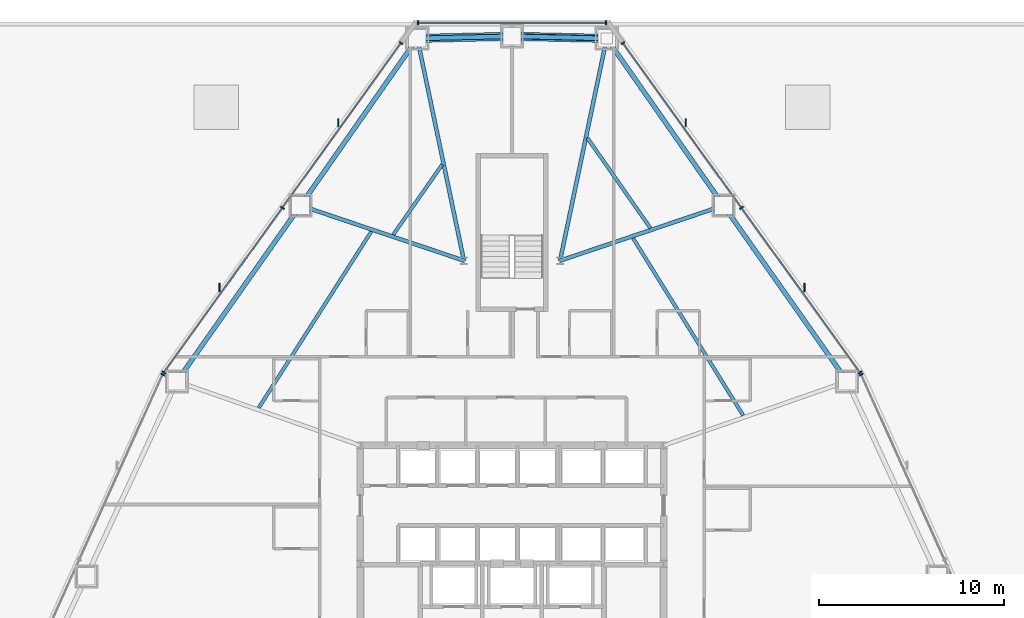
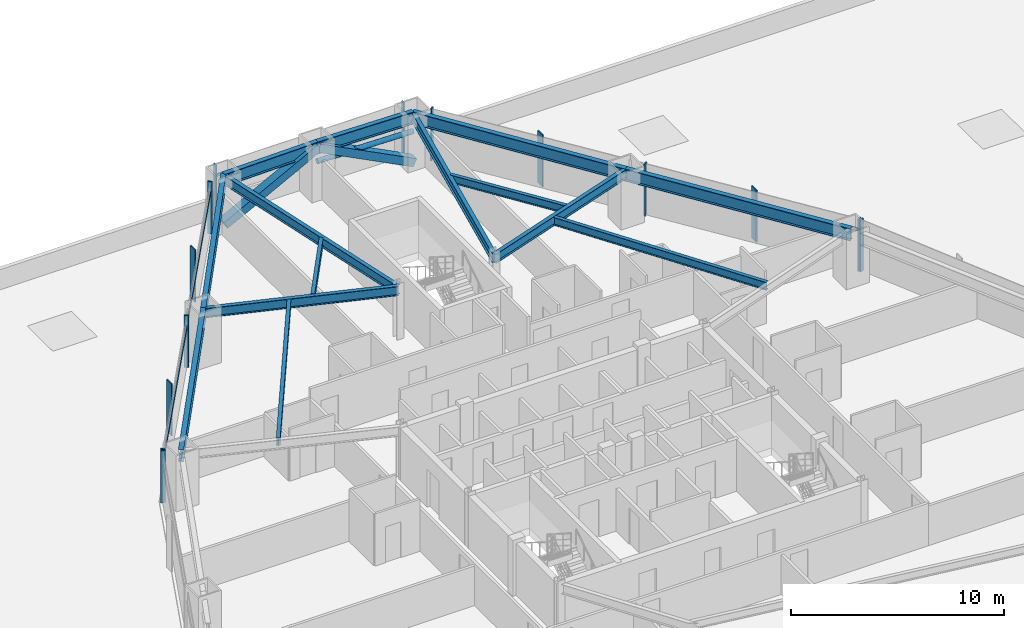
# One storey, part 8 of 17: 20 members, 14 beams, 5 elements without a shape of their own.
"""IFC4 building model written with IfcOpenShell, lengths in metres."""

from ifc_helpers import new_model, si_unit, direction, frame, origin, origin_2d, place, context, subcontext, project, spatial, rectangle, hollow_rectangle, hollow_circle, i_section, extrude, source, transform, mapped, material, layer, layer_set, material_profile, profile_set, type_object, type_shapes, element, aggregate, save


model = new_model("IFC4")

# Units and contexts
model_context = context("Model", 3, precision=1e-05, world=origin(), true_north=direction((0.0, 1.0)))
body_context = subcontext(model_context, "Body", "Model", "MODEL_VIEW")
ifc_project = project(units=[si_unit("LENGTHUNIT", "METRE"), si_unit("AREAUNIT", "SQUARE_METRE"), si_unit("VOLUMEUNIT", "CUBIC_METRE"), si_unit("PLANEANGLEUNIT", "RADIAN"), si_unit("MASSUNIT", "GRAM", prefix="KILO")], contexts=[model_context])

# Site, building, storey
site_placement = place(None, origin())
site = spatial("IfcSite", under=ifc_project, at=site_placement, CompositionType="ELEMENT")
building_placement = place(site_placement, origin())
building = spatial("IfcBuilding", under=site, at=building_placement, Name="Varakhsha Concourse Tower", CompositionType="ELEMENT")
storey_placement = place(building_placement, frame((0.0, 0.0, 27.199951171875)))
storey = spatial("IfcBuildingStorey", under=building, at=storey_placement, Name="L06", CompositionType="ELEMENT", Elevation=27.199951171875)

# Beams
ifc_material_1 = material(Name="Structural Steel ASTM A992 Grade 50", Category="steel")
ifc_material_profile_1 = material_profile(ifc_material_1, i_section(OverallWidth=0.19091796875, OverallDepth=0.45703125, WebThickness=0.009033203125, FlangeThickness=0.013916015625, at=origin_2d()), Name="W18X50")
ifc_profile_set_1 = profile_set([ifc_material_profile_1], Name="Structural Steel ASTM A992 Grade 50")
beam_type_1 = type_object("IfcBeamType", Name="BM-JST-W18X50", PredefinedType="JOIST", material=ifc_profile_set_1)
beam_1_placement = place(storey_placement, frame((36.226318359375, 46.400146484375, 2.75146484375), z_axis=(-0.572821959369, -0.819679817285, 0.0), x_axis=(0.819679817285, -0.572821959369, 0.0)))
element("IfcBeam", 1, at=beam_1_placement, inside=storey, type_object=beam_type_1, Name="BM-TJST-L06-03", PredefinedType="JOIST", context=body_context, shape_type="SweptSolid", body=[
    extrude(i_section(OverallWidth=0.19091796875, OverallDepth=0.45703125, WebThickness=0.009033203125, FlangeThickness=0.013916015625, at=origin_2d()), origin(), (0.0, 0.0, 1.0), 4.63232421875),
])
beam_2_placement = place(storey_placement, frame((32.3896484375, 42.7783203125, 2.75146484375), z_axis=(-0.53821146818, -0.842809833545, 0.0), x_axis=(0.842809833545, -0.53821146818, 0.0)))
element("IfcBeam", 2, at=beam_2_placement, inside=storey, type_object=beam_type_1, Name="BM-TJST-L06-04", PredefinedType="JOIST", context=body_context, shape_type="SweptSolid", body=[
    extrude(i_section(OverallWidth=0.19091796875, OverallDepth=0.45703125, WebThickness=0.009033203125, FlangeThickness=0.013916015625, at=origin_2d()), origin(), (0.0, 0.0, 1.0), 11.322265625),
])
beam_3_placement = place(storey_placement, frame((52.51318359375, 32.8203125, 2.75146484375), z_axis=(-0.527810727091, 0.849362017262, 0.0), x_axis=(-0.849362017262, -0.527810727091, 0.0)))
element("IfcBeam", 3, at=beam_3_placement, inside=storey, type_object=beam_type_1, Name="BM-TJST-L06-17", PredefinedType="JOIST", context=body_context, shape_type="SweptSolid", body=[
    extrude(i_section(OverallWidth=0.19091796875, OverallDepth=0.45703125, WebThickness=0.009033203125, FlangeThickness=0.013916015625, at=origin_2d()), origin(), (0.0, 0.0, 1.0), 11.301513671875),
])
beam_4_placement = place(storey_placement, frame((47.488037109375, 42.961181640625, 2.75146484375), z_axis=(-0.572823903729, 0.819678458492, 0.0), x_axis=(-0.819678458492, -0.572823903729, 0.0)))
element("IfcBeam", 4, at=beam_4_placement, inside=storey, type_object=beam_type_1, Name="BM-TJST-L06-18", PredefinedType="JOIST", context=body_context, shape_type="SweptSolid", body=[
    extrude(i_section(OverallWidth=0.19091796875, OverallDepth=0.45703125, WebThickness=0.009033203125, FlangeThickness=0.013916015625, at=origin_2d()), origin(), (0.0, 0.0, 1.0), 5.955810546875),
])
ifc_material_profile_2 = material_profile(ifc_material_1, i_section(OverallWidth=0.2109375, OverallDepth=0.5390625, WebThickness=0.011962890625, FlangeThickness=0.01904296875, at=origin_2d()), Name="W21X73")
ifc_profile_set_2 = profile_set([ifc_material_profile_2], Name="Structural Steel ASTM A992 Grade 50")
beam_type_2 = type_object("IfcBeamType", Name="BM-RAD-W21X73", PredefinedType="BEAM", material=ifc_profile_set_2)
for number, where, z_axis, x_axis, name in (
    (5, (42.60009765625, 41.199951171875, 2.71044921875), (0.205439579313, 0.97866980093, 0.0), (-0.97866980093, 0.205439579313, 0.0), "L06 Radial Floor Girder 01"),
    (6, (37.39990234375, 41.199951171875, 2.71044921875), (-0.205439579313, 0.97866980093, 0.0), (-0.97866980093, -0.205439579313, 0.0), "L06 Radial Floor Girder 03"),
):
    element("IfcBeam", number, at=place(storey_placement, frame(where, z_axis=z_axis, x_axis=x_axis)), inside=storey, type_object=beam_type_2, Name=name, PredefinedType="BEAM", context=body_context, shape_type="SweptSolid", body=[
        extrude(i_section(OverallWidth=0.2109375, OverallDepth=0.5390625, WebThickness=0.011962890625, FlangeThickness=0.01904296875, at=origin_2d()), origin(), (0.0, 0.0, 1.0), 12.285400390625),
    ])
for number, where, z_axis, x_axis, name in (
    (7, (37.39990234375, 41.199951171875, 2.71044921875), (-0.947494062614, 0.319773359288, 0.0), (-0.319773359288, -0.947494062614, 0.0), "L06 Radial Floor Girder 04"),
    (8, (42.60009765625, 41.199951171875, 2.71044921875), (0.947494062614, 0.319773359288, 0.0), (-0.319773359288, 0.947494062614, 0.0), "L06 Radial Floor Girder 18"),
):
    element("IfcBeam", number, at=place(storey_placement, frame(where, z_axis=z_axis, x_axis=x_axis)), inside=storey, type_object=beam_type_2, Name=name, PredefinedType="BEAM", context=body_context, shape_type="SweptSolid", body=[
        extrude(i_section(OverallWidth=0.2109375, OverallDepth=0.5390625, WebThickness=0.011962890625, FlangeThickness=0.01904296875, at=origin_2d()), origin(), (0.0, 0.0, 1.0), 9.331298828125),
    ])
ifc_material_profile_3 = material_profile(ifc_material_1, i_section(OverallWidth=0.25390625, OverallDepth=0.701904296875, WebThickness=0.014892578125, FlangeThickness=0.028076171875, at=origin_2d()), Name="W27X129")
ifc_profile_set_3 = profile_set([ifc_material_profile_3], Name="Structural Steel ASTM A992 Grade 50")
beam_type_3 = type_object("IfcBeamType", Name="BM-SPAN-W27X129", PredefinedType="SPANDREL", material=ifc_profile_set_3)
for number, where, z_axis, x_axis, name in (
    (9, (45.1240234375, 53.223388671875, 2.629150390625), (-0.999740752381, 0.022769014658, 0.0), (-0.022769014658, -0.999740752381, 0.0), "BM-SPAN-L06-01"),
    (10, (40.0, 53.340087890625, 2.629150390625), (-0.999740752381, -0.022769014658, 0.0), (0.022769014658, -0.999740752381, 0.0), "BM-SPAN-L06-02"),
):
    element("IfcBeam", number, at=place(storey_placement, frame(where, z_axis=z_axis, x_axis=x_axis)), inside=storey, type_object=beam_type_3, Name=name, PredefinedType="SPANDREL", context=body_context, shape_type="SweptSolid", body=[
        extrude(i_section(OverallWidth=0.25390625, OverallDepth=0.701904296875, WebThickness=0.014892578125, FlangeThickness=0.028076171875, at=origin_2d()), origin(), (0.0, 0.0, 1.0), 5.125244140625),
    ])
beam_5_placement = place(storey_placement, frame((34.8759765625, 53.223388671875, 2.629150390625), z_axis=(-0.572835189136, -0.819670571686, 0.0), x_axis=(0.819670571686, -0.572835189136, 0.0)))
element("IfcBeam", 11, at=beam_5_placement, inside=storey, type_object=beam_type_3, Name="BM-SPAN-L06-03", PredefinedType="SPANDREL", context=body_context, shape_type="SweptSolid", body=[
    extrude(i_section(OverallWidth=0.25390625, OverallDepth=0.701904296875, WebThickness=0.014892578125, FlangeThickness=0.028076171875, at=origin_2d()), origin(), (0.0, 0.0, 1.0), 11.0283203125),
])
for number, where, z_axis, x_axis, name in (
    (12, (28.55859375, 44.183837890625, 2.629150390625), (-0.575386304622, -0.817881776575, 0.0), (0.817881776575, -0.575386304622, 0.0), "BM-SPAN-L06-04"),
    (13, (58.134521484375, 34.669921875, 2.629150390625), (-0.575386304622, 0.817881776575, 0.0), (-0.817881776575, -0.575386304622, 0.0), "BM-SPAN-L06-17"),
):
    element("IfcBeam", number, at=place(storey_placement, frame(where, z_axis=z_axis, x_axis=x_axis)), inside=storey, type_object=beam_type_3, Name=name, PredefinedType="SPANDREL", context=body_context, shape_type="SweptSolid", body=[
        extrude(i_section(OverallWidth=0.25390625, OverallDepth=0.701904296875, WebThickness=0.014892578125, FlangeThickness=0.028076171875, at=origin_2d()), origin(), (0.0, 0.0, 1.0), 11.63232421875),
    ])
beam_6_placement = place(storey_placement, frame((51.44140625, 44.183837890625, 2.629150390625), z_axis=(-0.572835189136, 0.819670571686, 0.0), x_axis=(-0.819670571686, -0.572835189136, 0.0)))
element("IfcBeam", 14, at=beam_6_placement, inside=storey, type_object=beam_type_3, Name="BM-SPAN-L06-18", PredefinedType="SPANDREL", context=body_context, shape_type="SweptSolid", body=[
    extrude(i_section(OverallWidth=0.25390625, OverallDepth=0.701904296875, WebThickness=0.014892578125, FlangeThickness=0.028076171875, at=origin_2d()), origin(), (0.0, 0.0, 1.0), 11.0283203125),
])

# Members
ifc_material_2 = material(Name="Structural Steel ASTM A500 Grade C", Category="steel")
ifc_material_profile_4 = material_profile(ifc_material_2, hollow_rectangle(XDim=0.449951171875, YDim=0.449951171875, WallThickness=0.01904296875, at=origin_2d()), Name="HSS 450x450x19")
ifc_profile_set_4 = profile_set([ifc_material_profile_4], Name="Structural Steel ASTM A500 Grade C")
member_type_1 = type_object("IfcMemberType", Name="MB-TUBE-HSS450", PredefinedType="BRACE", material=ifc_profile_set_4)
shared_shape_1 = source(origin(), body_context, "Body", "SweptSolid", [
    extrude(hollow_rectangle(XDim=0.449951171875, YDim=0.449951171875, WallThickness=0.01904296875, at=origin_2d()), origin(), (0.0, 0.0, 1.0), 5.72900390625),
])
type_shapes(member_type_1, [shared_shape_1])
for number, where, z_axis, x_axis, name in (
    (15, (45.1240234375, 53.223388671875, 0.1201171875), (-0.894394970339, 0.020369773005, 0.446813953878), (-0.022769014658, -0.999740752381, 0.0), "L06 Wind-Corner Tube Brace B01"),
    (16, (34.8759765625, 53.223388671875, 0.1201171875), (0.894394970339, 0.020369773005, 0.446813953878), (-0.022769014658, 0.999740752381, 0.0), "L06 Wind-Corner Tube Brace B02"),
):
    element("IfcMember", number, at=place(storey_placement, frame(where, z_axis=z_axis, x_axis=x_axis)), inside=storey, type_object=member_type_1, Name=name, PredefinedType="BRACE", context=body_context, shape_type="MappedRepresentation", body=[
        mapped(shared_shape_1, transform((0.0, 0.0, 0.0), scale=1.0)),
    ])
ifc_material_profile_5 = material_profile(ifc_material_2, hollow_circle(Radius=0.136474609375, WallThickness=0.011962890625, at=origin_2d()), Name="CHS 273x12")
ifc_profile_set_5 = profile_set([ifc_material_profile_5], Name="Structural Steel ASTM A500 Grade C")
member_type_2 = type_object("IfcMemberType", Name="MB-WIND-CHS273", PredefinedType="COLLAR", material=ifc_profile_set_5)
shared_shape_2 = source(origin(), body_context, "Body", "SweptSolid", [
    extrude(hollow_circle(Radius=0.136474609375, WallThickness=0.011962890625, at=origin_2d()), origin(), (0.0, 0.0, 1.0), 5.125244140625),
])
type_shapes(member_type_2, [shared_shape_2])
member_1_placement = place(storey_placement, frame((45.1240234375, 53.223388671875, 1.800048828125), z_axis=(-0.999740752381, 0.022769014658, 0.0), x_axis=(-0.022769014658, -0.999740752381, 0.0)))
element("IfcMember", 17, at=member_1_placement, inside=storey, type_object=member_type_2, Name="L06 Wind-Corner Collar Tie 1", PredefinedType="COLLAR", context=body_context, shape_type="MappedRepresentation", body=[
    mapped(shared_shape_2, transform((0.0, 0.0, 0.0), scale=1.0)),
])

# Curtain wall, members
ifc_material_3 = material(Name="Anodised Bronze Architectural Aluminium AA 6063-T6", Category="aluminium")
ifc_layer = layer(ifc_material_3, 0.219970703125, Name="CW-SYS-02")
ifc_layer_set = layer_set([ifc_layer], Name="Anodised Bronze Architectural Aluminium AA 6063-T6")
curtain_wall_type = type_object("IfcCurtainWallType", Name="CW-SYS-02", PredefinedType="NOTDEFINED", material=ifc_layer_set)
curtain_wall_1_placement = place(storey_placement, origin())
curtain_wall_1 = element("IfcCurtainWall", 18, at=curtain_wall_1_placement, inside=storey, type_object=curtain_wall_type, Name="L06 Chamfer Curtain Wall F1", PredefinedType="NOTDEFINED")
ifc_material_profile_6 = material_profile(ifc_material_3, rectangle(XDim=0.074951171875, YDim=0.219970703125, at=origin_2d()), Name="CWM-220X75")
ifc_profile_set_6 = profile_set([ifc_material_profile_6], Name="Anodised Bronze Architectural Aluminium AA 6063-T6")
member_type_3 = type_object("IfcMemberType", Name="CWM-220X75", PredefinedType="MULLION", material=ifc_profile_set_6)
shared_shape_3 = source(origin(), body_context, "Body", "SweptSolid", [
    extrude(rectangle(XDim=0.074951171875, YDim=0.219970703125, at=origin_2d()), origin(), (0.0, 0.0, 1.0), 2.97998046875),
])
type_shapes(member_type_3, [shared_shape_3])
member_2_placement = place(storey_placement, frame((34.919921875, 54.06005859375, 0.0), z_axis=(0.0, 0.0, 1.0), x_axis=(1.0, 0.0, 0.0)))
member_2 = element("IfcMember", 19, at=member_2_placement, type_object=member_type_3, Name="CW-L06-F1 Mullion 00", PredefinedType="MULLION", context=body_context, shape_type="MappedRepresentation", body=[
    mapped(shared_shape_3, transform((0.0, 0.0, 0.0), scale=1.0)),
])
member_3_placement = place(storey_placement, frame((45.080078125, 54.06005859375, 0.0), z_axis=(0.0, 0.0, 1.0), x_axis=(1.0, 0.0, 0.0)))
member_3 = element("IfcMember", 20, at=member_3_placement, type_object=member_type_3, Name="CW-L06-F1 Mullion 01", PredefinedType="MULLION", context=body_context, shape_type="MappedRepresentation", body=[
    mapped(shared_shape_3, transform((0.0, 0.0, 0.0), scale=1.0)),
])

curtain_wall_2_placement = place(storey_placement, origin())
curtain_wall_2 = element("IfcCurtainWall", 21, at=curtain_wall_2_placement, inside=storey, type_object=curtain_wall_type, Name="L06 Crystal Curtain Wall F2", PredefinedType="NOTDEFINED")
member_4_placement = place(storey_placement, frame((21.16552734375, 35.1474609375, 0.0), z_axis=(0.0, 0.0, 1.0), x_axis=(0.584283660256, 0.81154950826, 0.0)))
member_4 = element("IfcMember", 22, at=member_4_placement, type_object=member_type_3, Name="CW-L06-F2 Mullion 00", PredefinedType="MULLION", context=body_context, shape_type="MappedRepresentation", body=[
    mapped(shared_shape_3, transform((0.0, 0.0, 0.0), scale=1.0)),
])
member_5_placement = place(storey_placement, frame((27.5830078125, 44.060791015625, 0.0), z_axis=(0.0, 0.0, 1.0), x_axis=(0.584283660256, 0.81154950826, 0.0)))
member_5 = element("IfcMember", 23, at=member_5_placement, type_object=member_type_3, Name="CW-L06-F2 Mullion 01", PredefinedType="MULLION", context=body_context, shape_type="MappedRepresentation", body=[
    mapped(shared_shape_3, transform((0.0, 0.0, 0.0), scale=1.0)),
])
member_6_placement = place(storey_placement, frame((34.000244140625, 52.97412109375, 0.0), z_axis=(0.0, 0.0, 1.0), x_axis=(0.584283660256, 0.81154950826, 0.0)))
member_6 = element("IfcMember", 24, at=member_6_placement, type_object=member_type_3, Name="CW-L06-F2 Mullion 02", PredefinedType="MULLION", context=body_context, shape_type="MappedRepresentation", body=[
    mapped(shared_shape_3, transform((0.0, 0.0, 0.0), scale=1.0)),
])

# Curtain wall, member
curtain_wall_3_placement = place(storey_placement, origin())
curtain_wall_3 = element("IfcCurtainWall", 25, at=curtain_wall_3_placement, inside=storey, type_object=curtain_wall_type, Name="L06 Crystal Curtain Wall F3", PredefinedType="NOTDEFINED")
member_7_placement = place(storey_placement, frame((21.10205078125, 35.037353515625, 0.0), z_axis=(0.0, 0.0, 1.0), x_axis=(0.410683843161, 0.911777813377, 0.0)))
member_7 = element("IfcMember", 26, at=member_7_placement, type_object=member_type_3, Name="CW-L06-F3 Mullion 02", PredefinedType="MULLION", context=body_context, shape_type="MappedRepresentation", body=[
    mapped(shared_shape_3, transform((0.0, 0.0, 0.0), scale=1.0)),
])
aggregate(curtain_wall_3, [member_7])

curtain_wall_4_placement = place(storey_placement, origin())
curtain_wall_4 = element("IfcCurtainWall", 27, at=curtain_wall_4_placement, inside=storey, type_object=curtain_wall_type, Name="L06 Crystal Curtain Wall F8", PredefinedType="NOTDEFINED")
member_8_placement = place(storey_placement, frame((58.89794921875, 35.037353515625, 0.0), z_axis=(0.0, 0.0, 1.0), x_axis=(0.410683843161, -0.911777813377, 0.0)))
member_8 = element("IfcMember", 28, at=member_8_placement, type_object=member_type_3, Name="CW-L06-F8 Mullion 00", PredefinedType="MULLION", context=body_context, shape_type="MappedRepresentation", body=[
    mapped(shared_shape_3, transform((0.0, 0.0, 0.0), scale=1.0)),
])
aggregate(curtain_wall_4, [member_8])

# Curtain wall, members
curtain_wall_5_placement = place(storey_placement, origin())
curtain_wall_5 = element("IfcCurtainWall", 29, at=curtain_wall_5_placement, inside=storey, type_object=curtain_wall_type, Name="L06 Crystal Curtain Wall F9", PredefinedType="NOTDEFINED")
member_9_placement = place(storey_placement, frame((45.999755859375, 52.97412109375, 0.0), z_axis=(0.0, 0.0, 1.0), x_axis=(0.584283660256, -0.81154950826, 0.0)))
member_9 = element("IfcMember", 30, at=member_9_placement, type_object=member_type_3, Name="CW-L06-F9 Mullion 00", PredefinedType="MULLION", context=body_context, shape_type="MappedRepresentation", body=[
    mapped(shared_shape_3, transform((0.0, 0.0, 0.0), scale=1.0)),
])
member_10_placement = place(storey_placement, frame((52.4169921875, 44.060791015625, 0.0), z_axis=(0.0, 0.0, 1.0), x_axis=(0.584283660256, -0.81154950826, 0.0)))
member_10 = element("IfcMember", 31, at=member_10_placement, type_object=member_type_3, Name="CW-L06-F9 Mullion 01", PredefinedType="MULLION", context=body_context, shape_type="MappedRepresentation", body=[
    mapped(shared_shape_3, transform((0.0, 0.0, 0.0), scale=1.0)),
])
member_11_placement = place(storey_placement, frame((58.83447265625, 35.1474609375, 0.0), z_axis=(0.0, 0.0, 1.0), x_axis=(0.584283660256, -0.81154950826, 0.0)))
member_11 = element("IfcMember", 32, at=member_11_placement, type_object=member_type_3, Name="CW-L06-F9 Mullion 02", PredefinedType="MULLION", context=body_context, shape_type="MappedRepresentation", body=[
    mapped(shared_shape_3, transform((0.0, 0.0, 0.0), scale=1.0)),
])

# Member
ifc_material_profile_7 = material_profile(ifc_material_3, rectangle(XDim=0.06494140625, YDim=0.159912109375, at=origin_2d()), Name="CWT-160X65")
ifc_profile_set_7 = profile_set([ifc_material_profile_7], Name="Anodised Bronze Architectural Aluminium AA 6063-T6")
member_type_4 = type_object("IfcMemberType", Name="CWT-160X65", PredefinedType="USERDEFINED", material=ifc_profile_set_7)
shared_shape_4 = source(origin(), body_context, "Body", "SweptSolid", [
    extrude(rectangle(XDim=0.06494140625, YDim=0.159912109375, at=origin_2d()), origin(), (0.0, 0.0, 1.0), 10.16015625),
])
member_12_placement = place(storey_placement, frame((34.919921875, 54.06005859375, 2.330078125), z_axis=(1.0, 0.0, 0.0), x_axis=(0.0, 1.0, 0.0)))
member_12 = element("IfcMember", 33, at=member_12_placement, type_object=member_type_4, Name="CW-L06-F1 Transom 01", ObjectType="TRANSOM", PredefinedType="USERDEFINED", context=body_context, shape_type="MappedRepresentation", body=[
    mapped(shared_shape_4, transform((0.0, 0.0, 0.0), scale=1.0)),
])

aggregate(curtain_wall_1, [member_2, member_3, member_12])

shared_shape_5 = source(origin(), body_context, "Body", "SweptSolid", [
    extrude(rectangle(XDim=0.06494140625, YDim=0.159912109375, at=origin_2d()), origin(), (0.0, 0.0, 1.0), 21.96630859375),
])
type_shapes(member_type_4, [shared_shape_4, shared_shape_5])
member_13_placement = place(storey_placement, frame((21.16552734375, 35.1474609375, 2.330078125), z_axis=(0.584290379042, 0.811544670957, 0.0), x_axis=(-0.811544670957, 0.584290379042, 0.0)))
member_13 = element("IfcMember", 34, at=member_13_placement, type_object=member_type_4, Name="CW-L06-F2 Transom 01", ObjectType="TRANSOM", PredefinedType="USERDEFINED", context=body_context, shape_type="MappedRepresentation", body=[
    mapped(shared_shape_5, transform((0.0, 0.0, 0.0), scale=1.0)),
])

member_14_placement = place(storey_placement, frame((45.999755859375, 52.97412109375, 2.330078125), z_axis=(0.584290379042, -0.811544670957, 0.0), x_axis=(0.811544670957, 0.584290379042, 0.0)))
member_14 = element("IfcMember", 35, at=member_14_placement, type_object=member_type_4, Name="CW-L06-F9 Transom 01", ObjectType="TRANSOM", PredefinedType="USERDEFINED", context=body_context, shape_type="MappedRepresentation", body=[
    mapped(shared_shape_5, transform((0.0, 0.0, 0.0), scale=1.0)),
])

ifc_material_profile_8 = material_profile(ifc_material_3, rectangle(XDim=0.06494140625, YDim=0.449951171875, at=origin_2d()), Name="FIN-BRZ-450")
ifc_profile_set_8 = profile_set([ifc_material_profile_8], Name="Anodised Bronze Architectural Aluminium AA 6063-T6")
member_type_5 = type_object("IfcMemberType", Name="FIN-BRZ-450", PredefinedType="USERDEFINED", material=ifc_profile_set_8)
shared_shape_6 = source(origin(), body_context, "Body", "SweptSolid", [
    extrude(rectangle(XDim=0.06494140625, YDim=0.449951171875, at=origin_2d()), origin(), (0.0, 0.0, 1.0), 2.97998046875),
])
type_shapes(member_type_5, [shared_shape_6])
member_15_placement = place(storey_placement, frame((24.179443359375, 39.744384765625, 0.0), z_axis=(0.0, 0.0, 1.0), x_axis=(1.0, 0.0, 0.0)))
member_15 = element("IfcMember", 36, at=member_15_placement, type_object=member_type_5, Name="L06 Anodised Bronze Solar Fin F2-1", ObjectType="SOLAR FIN", PredefinedType="USERDEFINED", context=body_context, shape_type="MappedRepresentation", body=[
    mapped(shared_shape_6, transform((0.0, 0.0, 0.0), scale=1.0)),
])

member_16_placement = place(storey_placement, frame((30.5966796875, 48.65771484375, 0.0), z_axis=(0.0, 0.0, 1.0), x_axis=(1.0, 0.0, 0.0)))
member_16 = element("IfcMember", 37, at=member_16_placement, type_object=member_type_5, Name="L06 Anodised Bronze Solar Fin F2-2", ObjectType="SOLAR FIN", PredefinedType="USERDEFINED", context=body_context, shape_type="MappedRepresentation", body=[
    mapped(shared_shape_6, transform((0.0, 0.0, 0.0), scale=1.0)),
])

aggregate(curtain_wall_2, [member_4, member_5, member_6, member_13, member_15, member_16])

member_17_placement = place(storey_placement, frame((49.4033203125, 48.65771484375, 0.0), z_axis=(0.0, 0.0, 1.0), x_axis=(1.0, 0.0, 0.0)))
member_17 = element("IfcMember", 38, at=member_17_placement, type_object=member_type_5, Name="L06 Anodised Bronze Solar Fin F9-1", ObjectType="SOLAR FIN", PredefinedType="USERDEFINED", context=body_context, shape_type="MappedRepresentation", body=[
    mapped(shared_shape_6, transform((0.0, 0.0, 0.0), scale=1.0)),
])

member_18_placement = place(storey_placement, frame((55.820556640625, 39.744384765625, 0.0), z_axis=(0.0, 0.0, 1.0), x_axis=(1.0, 0.0, 0.0)))
member_18 = element("IfcMember", 39, at=member_18_placement, type_object=member_type_5, Name="L06 Anodised Bronze Solar Fin F9-2", ObjectType="SOLAR FIN", PredefinedType="USERDEFINED", context=body_context, shape_type="MappedRepresentation", body=[
    mapped(shared_shape_6, transform((0.0, 0.0, 0.0), scale=1.0)),
])

aggregate(curtain_wall_5, [member_9, member_10, member_11, member_14, member_17, member_18])

save(model, "model.ifc")
